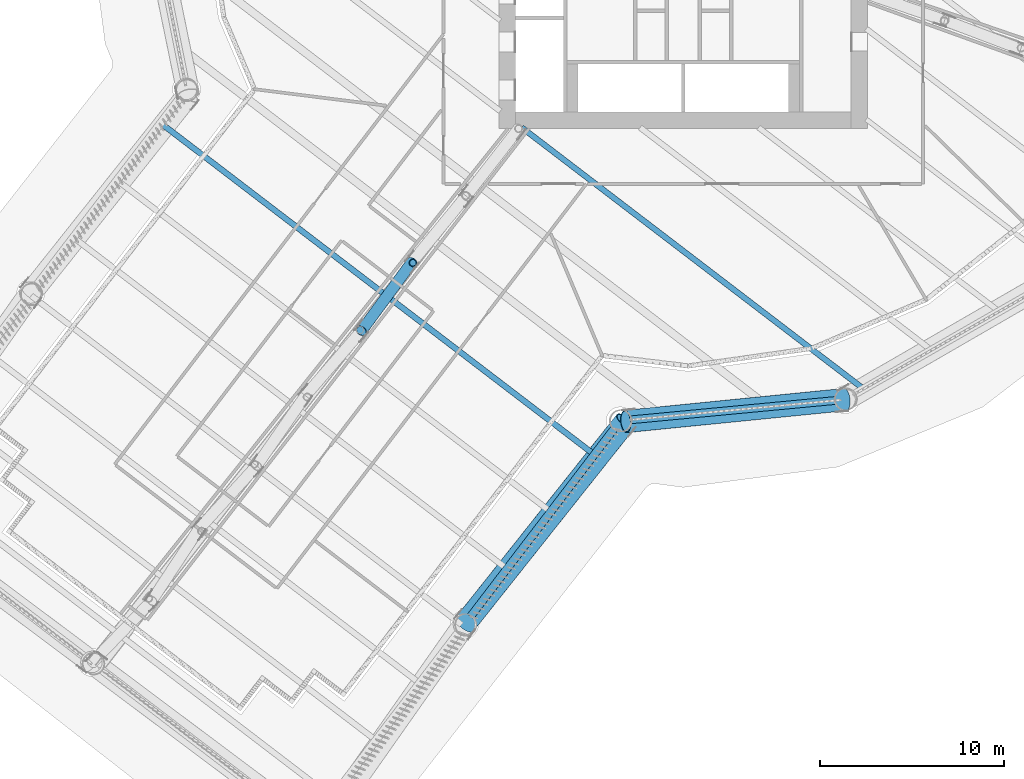
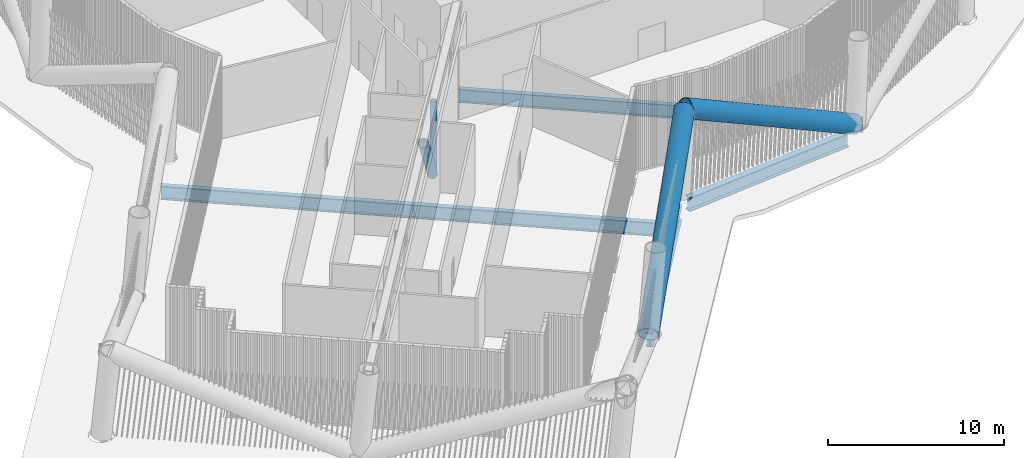
# One storey, part 3 of 48: 4 beams, 4 members.
"""IFC4 building model written with IfcOpenShell, lengths in metres."""

from ifc_helpers import new_model, si_unit, direction, frame, origin, origin_2d, place, context, subcontext, project, spatial, hollow_circle, i_section, extrude, material, material_profile, profile_set, type_object, element, save


model = new_model("IFC4")

# Units and contexts
model_context = context("Model", 3, precision=1e-05, world=origin(), true_north=direction((0.0, 1.0)))
body_context = subcontext(model_context, "Body", "Model", "MODEL_VIEW")
ifc_project = project(units=[si_unit("LENGTHUNIT", "METRE"), si_unit("AREAUNIT", "SQUARE_METRE"), si_unit("VOLUMEUNIT", "CUBIC_METRE"), si_unit("PLANEANGLEUNIT", "RADIAN"), si_unit("MASSUNIT", "GRAM", prefix="KILO")], contexts=[model_context])

# Site, building, storey
site_placement = place(None, origin())
site = spatial("IfcSite", under=ifc_project, at=site_placement, CompositionType="ELEMENT")
building_placement = place(site_placement, origin())
building = spatial("IfcBuilding", under=site, at=building_placement, Name="Tarsis Ring Headquarters", CompositionType="ELEMENT")
storey_placement = place(building_placement, frame((0.0, 0.0, 34.0)))
storey = spatial("IfcBuildingStorey", under=building, at=storey_placement, Name="L06", CompositionType="ELEMENT", Elevation=34.0)

# Beams
ifc_material_1 = material(Name="Structural steel S355", Category="steel")
ifc_material_profile_1 = material_profile(ifc_material_1, i_section(OverallWidth=0.3046875, OverallDepth=0.91943359375, WebThickness=0.017333984375, FlangeThickness=0.02783203125, at=origin_2d()), Name="W36x170")
ifc_profile_set_1 = profile_set([ifc_material_profile_1], Name="Structural steel S355")
beam_type_1 = type_object("IfcBeamType", Name="FB Floor beam W36x170", PredefinedType="JOIST", material=ifc_profile_set_1)
beam_1_placement = place(storey_placement, frame((-8.760498046875, -12.939208984375, -0.759765625), z_axis=(0.794418140428, -0.607371235868, 0.0), x_axis=(0.607371235868, 0.794418140428, 0.0)))
element("IfcBeam", 1, at=beam_1_placement, inside=storey, type_object=beam_type_1, Name="Floor beam FB9", PredefinedType="JOIST", context=body_context, shape_type="SweptSolid", body=[
    extrude(i_section(OverallWidth=0.3046875, OverallDepth=0.91943359375, WebThickness=0.017333984375, FlangeThickness=0.02783203125, at=origin_2d()), origin(), (0.0, 0.0, 1.0), 23.209716796875),
])
ifc_material_profile_2 = material_profile(ifc_material_1, i_section(OverallWidth=0.309814453125, OverallDepth=0.949951171875, WebThickness=0.0244140625, FlangeThickness=0.0439453125, at=origin_2d()), Name="W36x256")
ifc_profile_set_2 = profile_set([ifc_material_profile_2], Name="Structural steel S355")
beam_type_2 = type_object("IfcBeamType", Name="FB Floor beam W36x256", PredefinedType="JOIST", material=ifc_profile_set_2)
beam_2_placement = place(storey_placement, frame((-28.249755859375, -12.766357421875, -0.77490234375), z_axis=(0.794413737636, -0.607376994506, 0.0), x_axis=(0.607376994506, 0.794413737636, 0.0)))
element("IfcBeam", 2, at=beam_2_placement, inside=storey, type_object=beam_type_2, Name="Floor beam FB11", PredefinedType="JOIST", context=body_context, shape_type="SweptSolid", body=[
    extrude(i_section(OverallWidth=0.309814453125, OverallDepth=0.949951171875, WebThickness=0.0244140625, FlangeThickness=0.0439453125, at=origin_2d()), origin(), (0.0, 0.0, 1.0), 29.3759765625),
])

# Members
ifc_material_profile_3 = material_profile(ifc_material_1, hollow_circle(Radius=0.3046875, WallThickness=0.02490234375, at=origin_2d()), Name="CHS 610x25")
ifc_profile_set_3 = profile_set([ifc_material_profile_3], Name="Structural steel S355")
member_type_1 = type_object("IfcMemberType", Name="OD Outrigger diagonal CHS 610x25", PredefinedType="BRACE", material=ifc_profile_set_3)
member_1_placement = place(storey_placement, frame((-14.710205078125, -20.23974609375, 0.25390625), z_axis=(-0.388418598035, -0.528319814327, 0.754989514159), x_axis=(0.80568875128, -0.592339122514, 0.0)))
element("IfcMember", 3, at=member_1_placement, inside=storey, type_object=member_type_1, Name="Outrigger diagonal OD1", PredefinedType="BRACE", context=body_context, shape_type="SweptSolid", body=[
    extrude(hollow_circle(Radius=0.3046875, WallThickness=0.02490234375, at=origin_2d()), origin(), (0.0, 0.0, 1.0), 7.0625),
])
ifc_material_profile_4 = material_profile(ifc_material_1, hollow_circle(Radius=0.203125, WallThickness=0.01611328125, at=origin_2d()), Name="CHS 406x16")
ifc_profile_set_4 = profile_set([ifc_material_profile_4], Name="Structural steel S355")
member_type_2 = type_object("IfcMemberType", Name="OV Outrigger post CHS 406x16", PredefinedType="STRUT", material=ifc_profile_set_4)
member_2_placement = place(storey_placement, frame((-14.661376953125, -20.27685546875, 0.508056640625), z_axis=(0.0, 0.0, 1.0), x_axis=(1.0, 0.0, 0.0)))
element("IfcMember", 4, at=member_2_placement, inside=storey, type_object=member_type_2, Name="Outrigger post OV1", PredefinedType="STRUT", context=body_context, shape_type="SweptSolid", body=[
    extrude(hollow_circle(Radius=0.203125, WallThickness=0.01611328125, at=origin_2d()), origin(), (0.0, 0.0, 1.0), 4.823974609375),
])
ifc_material_2 = material(Name="Structural steel S460", Category="steel")
ifc_material_profile_5 = material_profile(ifc_material_2, hollow_circle(Radius=0.609619140625, WallThickness=0.050048828125, at=origin_2d()), Name="CHS 1219x50")
ifc_profile_set_5 = profile_set([ifc_material_profile_5], Name="Structural steel S460")
member_type_3 = type_object("IfcMemberType", Name="TD Belt truss diagonal CHS 1219x50", PredefinedType="BRACE", material=ifc_profile_set_5)
member_3_placement = place(storey_placement, frame((-11.8681640625, -39.89013671875, 0.0), z_axis=(0.572099181637, 0.720186377688, 0.392471792316), x_axis=(-0.783012104309, 0.622006466611, 0.0)))
element("IfcMember", 5, at=member_3_placement, inside=storey, type_object=member_type_3, Name="Belt truss diagonal TD1", PredefinedType="BRACE", context=body_context, shape_type="SweptSolid", body=[
    extrude(hollow_circle(Radius=0.609619140625, WallThickness=0.050048828125, at=origin_2d()), origin(), (0.0, 0.0, 1.0), 15.287841796875),
])
member_4_placement = place(storey_placement, frame((8.77001953125, -27.69287109375, 0.0), z_axis=(-0.889275486589, -0.088781496434, 0.448672436018), x_axis=(0.099341910874, -0.995053357737, 0.0)))
element("IfcMember", 6, at=member_4_placement, inside=storey, type_object=member_type_3, Name="Belt truss diagonal TD1", PredefinedType="BRACE", context=body_context, shape_type="SweptSolid", body=[
    extrude(hollow_circle(Radius=0.609619140625, WallThickness=0.050048828125, at=origin_2d()), origin(), (0.0, 0.0, 1.0), 13.372802734375),
])

# Beams
ifc_material_profile_6 = material_profile(ifc_material_1, i_section(OverallWidth=0.42431640625, OverallDepth=0.947509765625, WebThickness=0.02392578125, FlangeThickness=0.042724609375, at=origin_2d()), Name="W36x302")
ifc_profile_set_6 = profile_set([ifc_material_profile_6], Name="Structural steel S355")
beam_type_3 = type_object("IfcBeamType", Name="XG Ring girder W36x302", PredefinedType="BEAM", material=ifc_profile_set_6)
beam_3_placement = place(storey_placement, frame((-11.534912109375, -39.454345703125, -0.773681640625), z_axis=(0.607365889136, 0.794422228235, 0.0), x_axis=(-0.794422228235, 0.607365889136, 0.0)))
element("IfcBeam", 7, at=beam_3_placement, inside=storey, type_object=beam_type_3, Name="Ring girder XG1", PredefinedType="BEAM", context=body_context, shape_type="SweptSolid", body=[
    extrude(i_section(OverallWidth=0.42431640625, OverallDepth=0.947509765625, WebThickness=0.02392578125, FlangeThickness=0.042724609375, at=origin_2d()), origin(), (0.0, 0.0, 1.0), 12.804931640625),
])
beam_4_placement = place(storey_placement, frame((-2.878173828125, -28.79443359375, -0.773681640625), z_axis=(0.995559007556, 0.09413959037, 0.0), x_axis=(-0.09413959037, 0.995559007556, 0.0)))
element("IfcBeam", 8, at=beam_4_placement, inside=storey, type_object=beam_type_3, Name="Ring girder XG1", PredefinedType="BEAM", context=body_context, shape_type="SweptSolid", body=[
    extrude(i_section(OverallWidth=0.42431640625, OverallDepth=0.947509765625, WebThickness=0.02392578125, FlangeThickness=0.042724609375, at=origin_2d()), origin(), (0.0, 0.0, 1.0), 11.151611328125),
])

save(model, "model.ifc")
